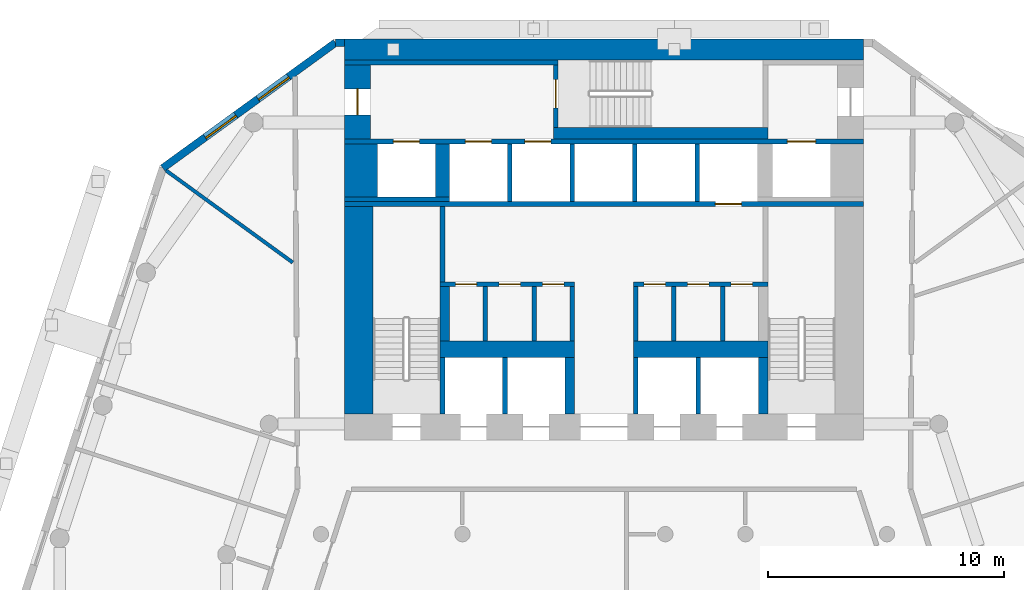
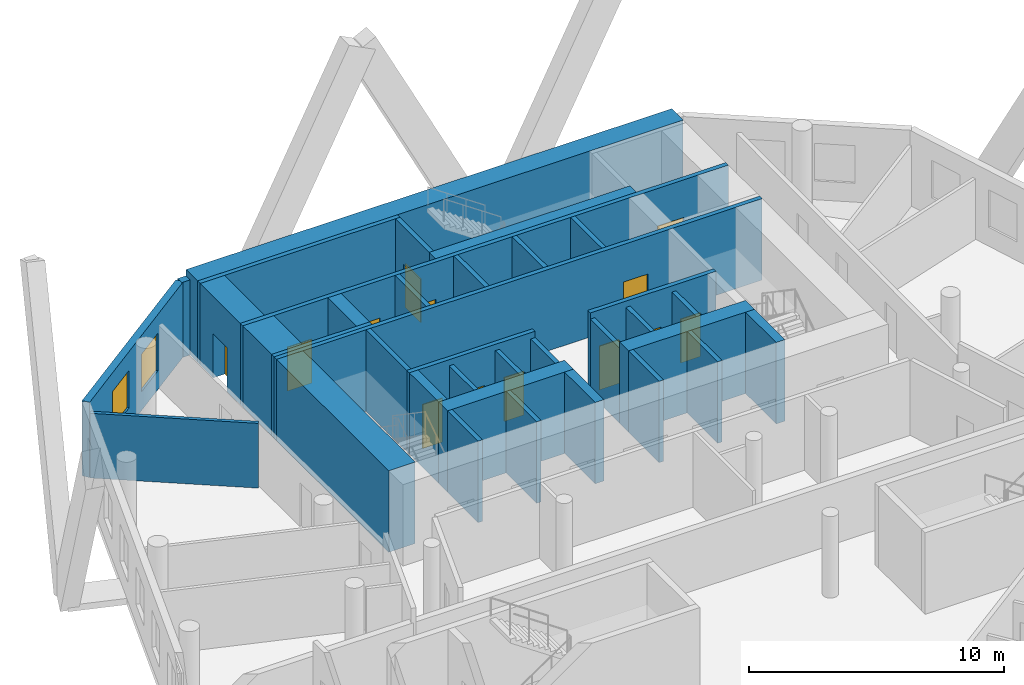
# One storey, part 6 of 10: 36 walls, 13 doors, 2 windows, 15 openings.
"""IFC4 building model written with IfcOpenShell, lengths in metres."""

from ifc_helpers import new_model, si_unit, direction, frame, frame_2d, origin, place, context, subcontext, project, spatial, rectangle, extrude, material, layer, layer_set, type_object, element, fill, save


model = new_model("IFC4")

# Units and contexts
model_context = context("Model", 3, precision=1e-05, world=origin(), true_north=direction((0.0, 1.0)))
body_context = subcontext(model_context, "Body", "Model", "MODEL_VIEW")
ifc_project = project(units=[si_unit("LENGTHUNIT", "METRE"), si_unit("AREAUNIT", "SQUARE_METRE"), si_unit("VOLUMEUNIT", "CUBIC_METRE"), si_unit("PLANEANGLEUNIT", "RADIAN"), si_unit("MASSUNIT", "GRAM", prefix="KILO")], contexts=[model_context])

# Site, building, storey
site_placement = place(None, origin())
site = spatial("IfcSite", under=ifc_project, at=site_placement, CompositionType="ELEMENT")
building_placement = place(site_placement, origin())
building = spatial("IfcBuilding", under=site, at=building_placement, Name="White Candle Pilgrim Tower", CompositionType="ELEMENT")
storey_placement = place(building_placement, frame((0.0, 0.0, 125.89990234375)))
storey = spatial("IfcBuildingStorey", under=building, at=storey_placement, Name="L28", CompositionType="ELEMENT", Elevation=125.89990234375)

# Wall, opening, door
ifc_material_1 = material(Name="Concrete C60/75", Category="concrete")
ifc_layer_1 = layer(ifc_material_1, 1.10009765625)
ifc_layer_set_1 = layer_set([ifc_layer_1], Name="Core wall 1100 mm Concrete C60/75")
wall_type_1 = type_object("IfcWallType", Name="Core wall 1100 mm Concrete C60/75", PredefinedType="SHEAR", material=ifc_layer_set_1)
wall_1_placement = place(storey_placement, frame((59.550048828125, 83.75, 0.0), z_axis=(0.0, 0.0, 1.0), x_axis=(0.0, 1.0, 0.0)))
wall_1 = element("IfcWall", 1, at=wall_1_placement, inside=storey, type_object=wall_type_1, Name="WL-L28-C46", PredefinedType="SHEAR", context=body_context, shape_type="SweptSolid", body=[
    extrude(rectangle(XDim=3.14990234375, YDim=1.10009765625, at=frame_2d((1.574951171875, 0.0))), origin(), (0.0, 0.0, 1.0), 3.900146484375),
])
opening_1_placement = place(wall_1_placement, frame((1.02490234375, 0.0, 0.0)))
opening_1 = element("IfcOpeningElement", 2, at=opening_1_placement, cuts=wall_1, Name="Opening T09-005", PredefinedType="OPENING", context=body_context, shape_type="SweptSolid", body=[
    extrude(rectangle(XDim=1.10009765625, YDim=2.10009765625, at=frame_2d((0.550048828125, 1.050048828125))), frame((0.0, 0.56005859375, 0.0), z_axis=(0.0, -1.0, 0.0), x_axis=(1.0, 0.0, 0.0)), (0.0, 0.0, 1.0), 1.1201171875),
])
ifc_material_2 = material(Name="Steel door leaf", Category="steel")
door_type_1 = type_object("IfcDoorType", Name="Fire door 1100 x 2100 EI 60", OperationType="NOTDEFINED", PredefinedType="DOOR", material=ifc_material_2)
door_1_placement = place(opening_1_placement, origin())
door_1 = element("IfcDoor", 3, at=door_1_placement, inside=storey, type_object=door_type_1, Name="Door T09-005", OperationType="SINGLE_SWING_LEFT", OverallHeight=2.10009765625, OverallWidth=1.10009765625, PredefinedType="DOOR", context=body_context, shape_type="SweptSolid", body=[
    extrude(rectangle(XDim=1.10009765625, YDim=2.10009765625, at=frame_2d((0.550048828125, 1.050048828125))), frame((0.0, 0.02490234375, 0.0), z_axis=(0.0, -1.0, 0.0), x_axis=(1.0, 0.0, 0.0)), (0.0, 0.0, 1.0), 0.050048828125),
])
fill(opening_1, door_1)

# Walls
ifc_layer_2 = layer(ifc_material_1, 1.39990234375)
ifc_layer_set_2 = layer_set([ifc_layer_2], Name="Core wall 1400 mm Concrete C60/75")
wall_type_2 = type_object("IfcWallType", Name="Core wall 1400 mm Concrete C60/75", PredefinedType="SHEAR", material=ifc_layer_set_2)
wall_2_placement = place(storey_placement, frame((59.699951171875, 81.300048828125, 0.0), z_axis=(0.0, 0.0, 1.0), x_axis=(0.0, 1.0, 0.0)))
element("IfcWall", 4, at=wall_2_placement, inside=storey, type_object=wall_type_2, Name="WL-L28-C41", PredefinedType="SHEAR", context=body_context, shape_type="SweptSolid", body=[
    extrude(rectangle(XDim=2.25, YDim=1.39990234375, at=frame_2d((1.125, 0.0))), origin(), (0.0, 0.0, 1.0), 3.900146484375),
])
ifc_layer_3 = layer(ifc_material_1, 0.199951171875)
ifc_layer_set_3 = layer_set([ifc_layer_3], Name="Core wall 200 mm Concrete C60/75")
wall_type_3 = type_object("IfcWallType", Name="Core wall 200 mm Concrete C60/75", PredefinedType="SHEAR", material=ifc_layer_set_3)
wall_3_placement = place(storey_placement, frame((59.0, 81.199951171875, 0.0), z_axis=(0.0, 0.0, 1.0), x_axis=(1.0, 0.0, 0.0)))
element("IfcWall", 5, at=wall_3_placement, inside=storey, type_object=wall_type_3, Name="WL-L28-C35", PredefinedType="SHEAR", context=body_context, shape_type="SweptSolid", body=[
    extrude(rectangle(XDim=4.449951171875, YDim=0.199951171875, at=frame_2d((2.22509765625, 0.0))), origin(), (0.0, 0.0, 1.0), 3.900146484375),
])

# Wall, openings, doors
wall_4_placement = place(storey_placement, frame((59.0, 83.64990234375, 0.0), z_axis=(0.0, 0.0, 1.0), x_axis=(1.0, 0.0, 0.0)))
wall_4 = element("IfcWall", 6, at=wall_4_placement, inside=storey, type_object=wall_type_3, Name="WL-L28-C45", PredefinedType="SHEAR", context=body_context, shape_type="SweptSolid", body=[
    extrude(rectangle(XDim=22.0, YDim=0.199951171875, at=frame_2d((11.0, 0.0))), origin(), (0.0, 0.0, 1.0), 3.900146484375),
])
opening_2_placement = place(wall_4_placement, frame((5.125, 0.0, 0.0)))
opening_2 = element("IfcOpeningElement", 7, at=opening_2_placement, cuts=wall_4, Name="Opening T09-011", PredefinedType="OPENING", context=body_context, shape_type="SweptSolid", body=[
    extrude(rectangle(XDim=1.10009765625, YDim=2.10009765625, at=frame_2d((0.550048828125, 1.050048828125))), frame((0.0, 0.10986328125, 0.0), z_axis=(0.0, -1.0, 0.0), x_axis=(1.0, 0.0, 0.0)), (0.0, 0.0, 1.0), 0.219970703125),
])
opening_3_placement = place(wall_4_placement, frame((7.64990234375, 0.0, 0.0)))
opening_3 = element("IfcOpeningElement", 8, at=opening_3_placement, cuts=wall_4, Name="Opening T09-012", PredefinedType="OPENING", context=body_context, shape_type="SweptSolid", body=[
    extrude(rectangle(XDim=1.10009765625, YDim=2.10009765625, at=frame_2d((0.550048828125, 1.050048828125))), frame((0.0, 0.10986328125, 0.0), z_axis=(0.0, -1.0, 0.0), x_axis=(1.0, 0.0, 0.0)), (0.0, 0.0, 1.0), 0.219970703125),
])
opening_4_placement = place(wall_4_placement, frame((18.77490234375, 0.0, 0.0)))
opening_4 = element("IfcOpeningElement", 9, at=opening_4_placement, cuts=wall_4, Name="Opening T09-018", PredefinedType="OPENING", context=body_context, shape_type="SweptSolid", body=[
    extrude(rectangle(XDim=1.199951171875, YDim=2.10009765625, at=frame_2d((0.60009765625, 1.050048828125))), frame((0.0, 0.10986328125, 0.0), z_axis=(0.0, -1.0, 0.0), x_axis=(1.0, 0.0, 0.0)), (0.0, 0.0, 1.0), 0.219970703125),
])
opening_5_placement = place(wall_4_placement, frame((2.074951171875, 0.0, 0.0)))
opening_5 = element("IfcOpeningElement", 10, at=opening_5_placement, cuts=wall_4, Name="Opening T09-019", PredefinedType="OPENING", context=body_context, shape_type="SweptSolid", body=[
    extrude(rectangle(XDim=1.10009765625, YDim=2.10009765625, at=frame_2d((0.550048828125, 1.050048828125))), frame((0.0, 0.10986328125, 0.0), z_axis=(0.0, -1.0, 0.0), x_axis=(1.0, 0.0, 0.0)), (0.0, 0.0, 1.0), 0.219970703125),
])
ifc_material_3 = material(Name="Stainless steel", Category="steel")
door_type_2 = type_object("IfcDoorType", Name="Lift landing door 1100 x 2100 EI 60", OperationType="DOUBLE_DOOR_SLIDING", PredefinedType="DOOR", material=ifc_material_3)
door_2_placement = place(opening_2_placement, origin())
door_2 = element("IfcDoor", 11, at=door_2_placement, inside=storey, type_object=door_type_2, Name="Door T09-011", OperationType="DOUBLE_DOOR_SLIDING", OverallHeight=2.10009765625, OverallWidth=1.10009765625, PredefinedType="DOOR", context=body_context, shape_type="SweptSolid", body=[
    extrude(rectangle(XDim=1.10009765625, YDim=2.10009765625, at=frame_2d((0.550048828125, 1.050048828125))), frame((0.0, 0.02490234375, 0.0), z_axis=(0.0, -1.0, 0.0), x_axis=(1.0, 0.0, 0.0)), (0.0, 0.0, 1.0), 0.050048828125),
])
fill(opening_2, door_2)
door_3_placement = place(opening_3_placement, origin())
door_3 = element("IfcDoor", 12, at=door_3_placement, inside=storey, type_object=door_type_2, Name="Door T09-012", OperationType="DOUBLE_DOOR_SLIDING", OverallHeight=2.10009765625, OverallWidth=1.10009765625, PredefinedType="DOOR", context=body_context, shape_type="SweptSolid", body=[
    extrude(rectangle(XDim=1.10009765625, YDim=2.10009765625, at=frame_2d((0.550048828125, 1.050048828125))), frame((0.0, 0.02490234375, 0.0), z_axis=(0.0, -1.0, 0.0), x_axis=(1.0, 0.0, 0.0)), (0.0, 0.0, 1.0), 0.050048828125),
])
fill(opening_3, door_3)
door_4_placement = place(opening_5_placement, origin())
door_4 = element("IfcDoor", 13, at=door_4_placement, inside=storey, type_object=door_type_2, Name="Door T09-019", OperationType="DOUBLE_DOOR_SLIDING", OverallHeight=2.10009765625, OverallWidth=1.10009765625, PredefinedType="DOOR", context=body_context, shape_type="SweptSolid", body=[
    extrude(rectangle(XDim=1.10009765625, YDim=2.10009765625, at=frame_2d((0.550048828125, 1.050048828125))), frame((0.0, 0.02490234375, 0.0), z_axis=(0.0, -1.0, 0.0), x_axis=(1.0, 0.0, 0.0)), (0.0, 0.0, 1.0), 0.050048828125),
])
fill(opening_5, door_4)
door_type_3 = type_object("IfcDoorType", Name="Lift landing door 1200 x 2100 E 60", OperationType="DOUBLE_DOOR_SLIDING", PredefinedType="DOOR", material=ifc_material_3)
door_5_placement = place(opening_4_placement, origin())
door_5 = element("IfcDoor", 14, at=door_5_placement, inside=storey, type_object=door_type_3, Name="Door T09-018", OperationType="DOUBLE_DOOR_SLIDING", OverallHeight=2.10009765625, OverallWidth=1.199951171875, PredefinedType="DOOR", context=body_context, shape_type="SweptSolid", body=[
    extrude(rectangle(XDim=1.199951171875, YDim=2.10009765625, at=frame_2d((0.60009765625, 1.050048828125))), frame((0.0, 0.02490234375, 0.0), z_axis=(0.0, -1.0, 0.0), x_axis=(1.0, 0.0, 0.0)), (0.0, 0.0, 1.0), 0.050048828125),
])
fill(opening_4, door_5)

# Wall
ifc_material_4 = material(Name="Precast concrete C40/50", Category="concrete")
ifc_layer_4 = layer(ifc_material_4, 0.320068359375)
ifc_layer_set_4 = layer_set([ifc_layer_4], Name="Facade wall EW1 precast concrete C40/50 pier wall with timber-lined reveals")
wall_type_4 = type_object("IfcWallType", Name="Facade wall EW1 precast concrete C40/50 pier wall with timber-lined reveals", PredefinedType="SOLIDWALL", material=ifc_layer_set_4)
wall_5_placement = place(storey_placement, frame((59.0, 87.840087890625, 0.0), z_axis=(0.0, 0.0, 1.0), x_axis=(-1.0, 0.0, 0.0)))
element("IfcWall", 15, at=wall_5_placement, inside=storey, type_object=wall_type_4, Name="Facade wall L28 N", PredefinedType="SOLIDWALL", context=body_context, shape_type="SweptSolid", body=[
    extrude(rectangle(XDim=0.385009765625, YDim=0.320068359375, at=frame_2d((0.1923828125, 0.0))), origin(), (0.0, 0.0, 1.0), 3.60009765625),
])

# Wall, openings, windows
wall_6_placement = place(storey_placement, frame((58.614990234375, 87.840087890625, 0.0), z_axis=(0.0, 0.0, 1.0), x_axis=(-0.809020636, -0.587780239993, 0.0)))
wall_6 = element("IfcWall", 16, at=wall_6_placement, inside=storey, type_object=wall_type_4, Name="Facade wall L28 NW chamfer", PredefinedType="SOLIDWALL", context=body_context, shape_type="SweptSolid", body=[
    extrude(rectangle(XDim=9.0498046875, YDim=0.320068359375, at=frame_2d((4.52490234375, 0.0))), origin(), (0.0, 0.0, 1.0), 3.60009765625),
])
opening_6_placement = place(wall_6_placement, frame((2.459228515625, 0.0, 0.89990234375)))
opening_6 = element("IfcOpeningElement", 17, at=opening_6_placement, cuts=wall_6, Name="Opening W2", PredefinedType="OPENING", context=body_context, shape_type="SweptSolid", body=[
    extrude(rectangle(XDim=1.60009765625, YDim=1.800048828125, at=frame_2d((0.800048828125, 0.89990234375))), frame((0.0, 0.169921875, 0.0), z_axis=(0.0, -1.0, 0.0), x_axis=(1.0, 0.0, 0.0)), (0.0, 0.0, 1.0), 0.340087890625),
])
opening_7_placement = place(wall_6_placement, frame((5.224853515625, 0.0, 0.89990234375)))
opening_7 = element("IfcOpeningElement", 18, at=opening_7_placement, cuts=wall_6, Name="Opening W2", PredefinedType="OPENING", context=body_context, shape_type="SweptSolid", body=[
    extrude(rectangle(XDim=1.60009765625, YDim=1.800048828125, at=frame_2d((0.800048828125, 0.89990234375))), frame((0.0, 0.169921875, 0.0), z_axis=(0.0, -1.0, 0.0), x_axis=(1.0, 0.0, 0.0)), (0.0, 0.0, 1.0), 0.340087890625),
])
ifc_material_5 = material(Name="Timber frame with triple glazing", Category="wood")
window_type = type_object("IfcWindowType", Name="Window W2 1600x1800 timber frame triple glazing", PartitioningType="SINGLE_PANEL", PredefinedType="WINDOW", material=ifc_material_5)
window_1_placement = place(opening_6_placement, origin())
window_1 = element("IfcWindow", 19, at=window_1_placement, inside=storey, type_object=window_type, Name="Window W2 L28 NW chamfer 1", OverallHeight=1.800048828125, OverallWidth=1.60009765625, PartitioningType="SINGLE_PANEL", PredefinedType="WINDOW", context=body_context, shape_type="SweptSolid", body=[
    extrude(rectangle(XDim=1.60009765625, YDim=1.800048828125, at=frame_2d((0.800048828125, 0.89990234375))), frame((0.0, 0.070068359375, 0.0), z_axis=(0.0, -1.0, 0.0), x_axis=(1.0, 0.0, 0.0)), (0.0, 0.0, 1.0), 0.06005859375),
])
fill(opening_6, window_1)
window_2_placement = place(opening_7_placement, origin())
window_2 = element("IfcWindow", 20, at=window_2_placement, inside=storey, type_object=window_type, Name="Window W2 L28 NW chamfer 2", OverallHeight=1.800048828125, OverallWidth=1.60009765625, PartitioningType="SINGLE_PANEL", PredefinedType="WINDOW", context=body_context, shape_type="SweptSolid", body=[
    extrude(rectangle(XDim=1.60009765625, YDim=1.800048828125, at=frame_2d((0.800048828125, 0.89990234375))), frame((0.0, 0.070068359375, 0.0), z_axis=(0.0, -1.0, 0.0), x_axis=(1.0, 0.0, 0.0)), (0.0, 0.0, 1.0), 0.06005859375),
])
fill(opening_7, window_2)

# Walls
ifc_material_6 = material(Name="Gypsum board on steel studs", Category="steel")
ifc_layer_5 = layer(ifc_material_6, 0.199951171875)
ifc_layer_set_5 = layer_set([ifc_layer_5], Name="Lobby wall 200 mm EI 60")
wall_type_5 = type_object("IfcWallType", Name="Lobby wall 200 mm EI 60", PredefinedType="PARTITIONING", material=ifc_layer_set_5)
for number, where, z_axis, x_axis, name in (
    (21, (64.9599609375, 75.199951171875, 0.0), (0.0, 0.0, 1.0), (0.0, 1.0, 0.0), "WL-L28-C23"),
    (22, (67.0400390625, 75.199951171875, 0.0), (0.0, 0.0, 1.0), (0.0, 1.0, 0.0), "WL-L28-C24"),
    (23, (68.64990234375, 75.199951171875, 0.0), (0.0, 0.0, 1.0), (0.0, 1.0, 0.0), "WL-L28-C25"),
    (24, (71.35009765625, 75.199951171875, 0.0), (0.0, 0.0, 1.0), (0.0, 1.0, 0.0), "WL-L28-C26"),
    (25, (72.9599609375, 75.199951171875, 0.0), (0.0, 0.0, 1.0), (0.0, 1.0, 0.0), "WL-L28-C27"),
    (26, (75.0400390625, 75.199951171875, 0.0), (0.0, 0.0, 1.0), (0.0, 1.0, 0.0), "WL-L28-C28"),
):
    element("IfcWall", number, at=place(storey_placement, frame(where, z_axis=z_axis, x_axis=x_axis)), inside=storey, type_object=wall_type_5, Name=name, PredefinedType="PARTITIONING", context=body_context, shape_type="SweptSolid", body=[
        extrude(rectangle(XDim=2.300048828125, YDim=0.199951171875, at=frame_2d((1.14990234375, 0.0))), origin(), (0.0, 0.0, 1.0), 3.60009765625),
    ])
ifc_layer_6 = layer(ifc_material_6, 0.14990234375)
ifc_layer_set_6 = layer_set([ifc_layer_6], Name="Partition 150 mm EI 60")
wall_type_6 = type_object("IfcWallType", Name="Partition 150 mm EI 60", PredefinedType="PARTITIONING", material=ifc_layer_set_6)
wall_7_placement = place(storey_placement, frame((51.4296875, 82.421875, 0.0), z_axis=(0.0, 0.0, 1.0), x_axis=(0.809017368716, -0.587784737056, 0.0)))
element("IfcWall", 27, at=wall_7_placement, inside=storey, type_object=wall_type_6, Name="WL-L28-P016", PredefinedType="PARTITIONING", context=body_context, shape_type="SweptSolid", body=[
    extrude(rectangle(XDim=6.64111328125, YDim=0.14990234375, at=frame_2d((3.320556640625, 0.0))), origin(), (0.0, 0.0, 1.0), 3.10009765625),
])
ifc_layer_7 = layer(ifc_material_1, 0.199951171875)
ifc_layer_set_7 = layer_set([ifc_layer_7], Name="Shaft wall 200 mm Concrete C60/75")
wall_type_7 = type_object("IfcWallType", Name="Shaft wall 200 mm Concrete C60/75", PredefinedType="SHEAR", material=ifc_layer_set_7)
for number, where, z_axis, x_axis, name in (
    (28, (65.800048828125, 72.10009765625, 0.0), (0.0, 0.0, 1.0), (0.0, 1.0, 0.0), "WL-L28-C14"),
    (29, (71.35009765625, 72.10009765625, 0.0), (0.0, 0.0, 1.0), (0.0, 1.0, 0.0), "WL-L28-C16"),
    (30, (74.0, 72.10009765625, 0.0), (0.0, 0.0, 1.0), (0.0, 1.0, 0.0), "WL-L28-C17"),
):
    element("IfcWall", number, at=place(storey_placement, frame(where, z_axis=z_axis, x_axis=x_axis)), inside=storey, type_object=wall_type_7, Name=name, PredefinedType="SHEAR", context=body_context, shape_type="SweptSolid", body=[
        extrude(rectangle(XDim=2.39990234375, YDim=0.199951171875, at=frame_2d((1.199951171875, 0.0))), origin(), (0.0, 0.0, 1.0), 3.900146484375),
    ])
for number, where, z_axis, x_axis, name in (
    (31, (66.0, 81.10009765625, 0.0), (0.0, 0.0, 1.0), (0.0, 1.0, 0.0), "WL-L28-C36"),
    (32, (68.64990234375, 81.10009765625, 0.0), (0.0, 0.0, 1.0), (0.0, 1.0, 0.0), "WL-L28-C37"),
    (33, (71.300048828125, 81.10009765625, 0.0), (0.0, 0.0, 1.0), (0.0, 1.0, 0.0), "WL-L28-C38"),
    (34, (73.949951171875, 81.10009765625, 0.0), (0.0, 0.0, 1.0), (0.0, 1.0, 0.0), "WL-L28-C39"),
):
    element("IfcWall", number, at=place(storey_placement, frame(where, z_axis=z_axis, x_axis=x_axis)), inside=storey, type_object=wall_type_7, Name=name, PredefinedType="SHEAR", context=body_context, shape_type="SweptSolid", body=[
        extrude(rectangle(XDim=2.449951171875, YDim=0.199951171875, at=frame_2d((1.22509765625, 0.0))), origin(), (0.0, 0.0, 1.0), 3.900146484375),
    ])
ifc_layer_8 = layer(ifc_material_1, 0.39990234375)
ifc_layer_set_8 = layer_set([ifc_layer_8], Name="Shaft wall 400 mm Concrete C60/75")
wall_type_8 = type_object("IfcWallType", Name="Shaft wall 400 mm Concrete C60/75", PredefinedType="SHEAR", material=ifc_layer_set_8)
wall_8_placement = place(storey_placement, frame((68.550048828125, 72.10009765625, 0.0), z_axis=(0.0, 0.0, 1.0), x_axis=(0.0, 1.0, 0.0)))
element("IfcWall", 35, at=wall_8_placement, inside=storey, type_object=wall_type_8, Name="WL-L28-C15", PredefinedType="SHEAR", context=body_context, shape_type="SweptSolid", body=[
    extrude(rectangle(XDim=2.39990234375, YDim=0.39990234375, at=frame_2d((1.199951171875, 0.0))), origin(), (0.0, 0.0, 1.0), 3.900146484375),
])
ifc_layer_9 = layer(ifc_material_1, 0.60009765625)
ifc_layer_set_9 = layer_set([ifc_layer_9], Name="Shaft wall 600 mm Concrete C60/75")
wall_type_9 = type_object("IfcWallType", Name="Shaft wall 600 mm Concrete C60/75", PredefinedType="SHEAR", material=ifc_layer_set_9)
wall_9_placement = place(storey_placement, frame((63.14990234375, 81.300048828125, 0.0), z_axis=(0.0, 0.0, 1.0), x_axis=(0.0, 1.0, 0.0)))
element("IfcWall", 36, at=wall_9_placement, inside=storey, type_object=wall_type_9, Name="WL-L28-C42", PredefinedType="SHEAR", context=body_context, shape_type="SweptSolid", body=[
    extrude(rectangle(XDim=2.25, YDim=0.60009765625, at=frame_2d((1.125, 0.0))), origin(), (0.0, 0.0, 1.0), 3.900146484375),
])
ifc_layer_10 = layer(ifc_material_1, 1.199951171875)
ifc_layer_set_10 = layer_set([ifc_layer_10], Name="Stair shaft wall 1200 mm Concrete C60/75")
wall_type_10 = type_object("IfcWallType", Name="Stair shaft wall 1200 mm Concrete C60/75", PredefinedType="SHEAR", material=ifc_layer_set_10)
wall_10_placement = place(storey_placement, frame((59.60009765625, 72.10009765625, 0.0), z_axis=(0.0, 0.0, 1.0), x_axis=(0.0, 1.0, 0.0)))
element("IfcWall", 37, at=wall_10_placement, inside=storey, type_object=wall_type_10, Name="WL-L28-C12", PredefinedType="SHEAR", context=body_context, shape_type="SweptSolid", body=[
    extrude(rectangle(XDim=8.7998046875, YDim=1.199951171875, at=frame_2d((4.39990234375, 0.0))), origin(), (0.0, 0.0, 1.0), 3.900146484375),
])
ifc_layer_11 = layer(ifc_material_1, 0.199951171875)
ifc_layer_set_11 = layer_set([ifc_layer_11], Name="Stair shaft wall 200 mm Concrete C60/75")
wall_type_11 = type_object("IfcWallType", Name="Stair shaft wall 200 mm Concrete C60/75", PredefinedType="SHEAR", material=ifc_layer_set_11)
wall_11_placement = place(storey_placement, frame((63.14990234375, 72.10009765625, 0.0), z_axis=(0.0, 0.0, 1.0), x_axis=(0.0, 1.0, 0.0)))
element("IfcWall", 38, at=wall_11_placement, inside=storey, type_object=wall_type_11, Name="WL-L28-C13", PredefinedType="SHEAR", context=body_context, shape_type="SweptSolid", body=[
    extrude(rectangle(XDim=2.39990234375, YDim=0.199951171875, at=frame_2d((1.199951171875, 0.0))), origin(), (0.0, 0.0, 1.0), 3.900146484375),
])

# Wall, openings, doors
wall_12_placement = place(storey_placement, frame((63.050048828125, 77.60009765625, 0.0), z_axis=(0.0, 0.0, 1.0), x_axis=(1.0, 0.0, 0.0)))
wall_12 = element("IfcWall", 39, at=wall_12_placement, inside=storey, type_object=wall_type_11, Name="WL-L28-C30", PredefinedType="SHEAR", context=body_context, shape_type="SweptSolid", body=[
    extrude(rectangle(XDim=5.699951171875, YDim=0.199951171875, at=frame_2d((2.85009765625, 0.0))), origin(), (0.0, 0.0, 1.0), 3.900146484375),
])
opening_8_placement = place(wall_12_placement, frame((0.655029296875, 0.0, 0.0)))
opening_8 = element("IfcOpeningElement", 40, at=opening_8_placement, cuts=wall_12, Name="Opening T09-020", PredefinedType="OPENING", context=body_context, shape_type="SweptSolid", body=[
    extrude(rectangle(XDim=0.89990234375, YDim=2.10009765625, at=frame_2d((0.449951171875, 1.050048828125))), frame((0.0, 0.10986328125, 0.0), z_axis=(0.0, -1.0, 0.0), x_axis=(1.0, 0.0, 0.0)), (0.0, 0.0, 1.0), 0.219970703125),
])
opening_9_placement = place(wall_12_placement, frame((2.5, 0.0, 0.0)))
opening_9 = element("IfcOpeningElement", 41, at=opening_9_placement, cuts=wall_12, Name="Opening T09-021", PredefinedType="OPENING", context=body_context, shape_type="SweptSolid", body=[
    extrude(rectangle(XDim=0.89990234375, YDim=2.10009765625, at=frame_2d((0.449951171875, 1.050048828125))), frame((0.0, 0.10986328125, 0.0), z_axis=(0.0, -1.0, 0.0), x_axis=(1.0, 0.0, 0.0)), (0.0, 0.0, 1.0), 0.219970703125),
])
opening_10_placement = place(wall_12_placement, frame((4.344970703125, 0.0, 0.0)))
opening_10 = element("IfcOpeningElement", 42, at=opening_10_placement, cuts=wall_12, Name="Opening T09-022", PredefinedType="OPENING", context=body_context, shape_type="SweptSolid", body=[
    extrude(rectangle(XDim=0.89990234375, YDim=2.10009765625, at=frame_2d((0.449951171875, 1.050048828125))), frame((0.0, 0.10986328125, 0.0), z_axis=(0.0, -1.0, 0.0), x_axis=(1.0, 0.0, 0.0)), (0.0, 0.0, 1.0), 0.219970703125),
])
door_type_4 = type_object("IfcDoorType", Name="Fire door 900 x 2100 EI 30", OperationType="NOTDEFINED", PredefinedType="DOOR", material=ifc_material_2)
door_6_placement = place(opening_8_placement, origin())
door_6 = element("IfcDoor", 43, at=door_6_placement, inside=storey, type_object=door_type_4, Name="Door T09-020", OperationType="SINGLE_SWING_RIGHT", OverallHeight=2.10009765625, OverallWidth=0.89990234375, PredefinedType="DOOR", context=body_context, shape_type="SweptSolid", body=[
    extrude(rectangle(XDim=0.89990234375, YDim=2.10009765625, at=frame_2d((0.449951171875, 1.050048828125))), frame((0.0, 0.02490234375, 0.0), z_axis=(0.0, -1.0, 0.0), x_axis=(1.0, 0.0, 0.0)), (0.0, 0.0, 1.0), 0.050048828125),
])
fill(opening_8, door_6)
door_7_placement = place(opening_9_placement, origin())
door_7 = element("IfcDoor", 44, at=door_7_placement, inside=storey, type_object=door_type_4, Name="Door T09-021", OperationType="SINGLE_SWING_LEFT", OverallHeight=2.10009765625, OverallWidth=0.89990234375, PredefinedType="DOOR", context=body_context, shape_type="SweptSolid", body=[
    extrude(rectangle(XDim=0.89990234375, YDim=2.10009765625, at=frame_2d((0.449951171875, 1.050048828125))), frame((0.0, 0.02490234375, 0.0), z_axis=(0.0, -1.0, 0.0), x_axis=(1.0, 0.0, 0.0)), (0.0, 0.0, 1.0), 0.050048828125),
])
fill(opening_9, door_7)
door_8_placement = place(opening_10_placement, origin())
door_8 = element("IfcDoor", 45, at=door_8_placement, inside=storey, type_object=door_type_4, Name="Door T09-022", OperationType="SINGLE_SWING_RIGHT", OverallHeight=2.10009765625, OverallWidth=0.89990234375, PredefinedType="DOOR", context=body_context, shape_type="SweptSolid", body=[
    extrude(rectangle(XDim=0.89990234375, YDim=2.10009765625, at=frame_2d((0.449951171875, 1.050048828125))), frame((0.0, 0.02490234375, 0.0), z_axis=(0.0, -1.0, 0.0), x_axis=(1.0, 0.0, 0.0)), (0.0, 0.0, 1.0), 0.050048828125),
])
fill(opening_10, door_8)

wall_13_placement = place(storey_placement, frame((71.25, 77.60009765625, 0.0), z_axis=(0.0, 0.0, 1.0), x_axis=(1.0, 0.0, 0.0)))
wall_13 = element("IfcWall", 46, at=wall_13_placement, inside=storey, type_object=wall_type_11, Name="WL-L28-C31", PredefinedType="SHEAR", context=body_context, shape_type="SweptSolid", body=[
    extrude(rectangle(XDim=5.699951171875, YDim=0.199951171875, at=frame_2d((2.85009765625, 0.0))), origin(), (0.0, 0.0, 1.0), 3.900146484375),
])
opening_11_placement = place(wall_13_placement, frame((0.455078125, 0.0, 0.0)))
opening_11 = element("IfcOpeningElement", 47, at=opening_11_placement, cuts=wall_13, Name="Opening T09-023", PredefinedType="OPENING", context=body_context, shape_type="SweptSolid", body=[
    extrude(rectangle(XDim=0.89990234375, YDim=2.10009765625, at=frame_2d((0.449951171875, 1.050048828125))), frame((0.0, 0.10986328125, 0.0), z_axis=(0.0, -1.0, 0.0), x_axis=(1.0, 0.0, 0.0)), (0.0, 0.0, 1.0), 0.219970703125),
])
opening_12_placement = place(wall_13_placement, frame((2.300048828125, 0.0, 0.0)))
opening_12 = element("IfcOpeningElement", 48, at=opening_12_placement, cuts=wall_13, Name="Opening T09-024", PredefinedType="OPENING", context=body_context, shape_type="SweptSolid", body=[
    extrude(rectangle(XDim=0.89990234375, YDim=2.10009765625, at=frame_2d((0.449951171875, 1.050048828125))), frame((0.0, 0.10986328125, 0.0), z_axis=(0.0, -1.0, 0.0), x_axis=(1.0, 0.0, 0.0)), (0.0, 0.0, 1.0), 0.219970703125),
])
opening_13_placement = place(wall_13_placement, frame((4.14501953125, 0.0, 0.0)))
opening_13 = element("IfcOpeningElement", 49, at=opening_13_placement, cuts=wall_13, Name="Opening T09-025", PredefinedType="OPENING", context=body_context, shape_type="SweptSolid", body=[
    extrude(rectangle(XDim=0.89990234375, YDim=2.10009765625, at=frame_2d((0.449951171875, 1.050048828125))), frame((0.0, 0.10986328125, 0.0), z_axis=(0.0, -1.0, 0.0), x_axis=(1.0, 0.0, 0.0)), (0.0, 0.0, 1.0), 0.219970703125),
])
door_9_placement = place(opening_11_placement, origin())
door_9 = element("IfcDoor", 50, at=door_9_placement, inside=storey, type_object=door_type_4, Name="Door T09-023", OperationType="SINGLE_SWING_LEFT", OverallHeight=2.10009765625, OverallWidth=0.89990234375, PredefinedType="DOOR", context=body_context, shape_type="SweptSolid", body=[
    extrude(rectangle(XDim=0.89990234375, YDim=2.10009765625, at=frame_2d((0.449951171875, 1.050048828125))), frame((0.0, 0.02490234375, 0.0), z_axis=(0.0, -1.0, 0.0), x_axis=(1.0, 0.0, 0.0)), (0.0, 0.0, 1.0), 0.050048828125),
])
fill(opening_11, door_9)
door_10_placement = place(opening_12_placement, origin())
door_10 = element("IfcDoor", 51, at=door_10_placement, inside=storey, type_object=door_type_4, Name="Door T09-024", OperationType="SINGLE_SWING_RIGHT", OverallHeight=2.10009765625, OverallWidth=0.89990234375, PredefinedType="DOOR", context=body_context, shape_type="SweptSolid", body=[
    extrude(rectangle(XDim=0.89990234375, YDim=2.10009765625, at=frame_2d((0.449951171875, 1.050048828125))), frame((0.0, 0.02490234375, 0.0), z_axis=(0.0, -1.0, 0.0), x_axis=(1.0, 0.0, 0.0)), (0.0, 0.0, 1.0), 0.050048828125),
])
fill(opening_12, door_10)
door_11_placement = place(opening_13_placement, origin())
door_11 = element("IfcDoor", 52, at=door_11_placement, inside=storey, type_object=door_type_4, Name="Door T09-025", OperationType="SINGLE_SWING_LEFT", OverallHeight=2.10009765625, OverallWidth=0.89990234375, PredefinedType="DOOR", context=body_context, shape_type="SweptSolid", body=[
    extrude(rectangle(XDim=0.89990234375, YDim=2.10009765625, at=frame_2d((0.449951171875, 1.050048828125))), frame((0.0, 0.02490234375, 0.0), z_axis=(0.0, -1.0, 0.0), x_axis=(1.0, 0.0, 0.0)), (0.0, 0.0, 1.0), 0.050048828125),
])
fill(opening_13, door_11)

# Wall
wall_14_placement = place(storey_placement, frame((63.14990234375, 77.699951171875, 0.0), z_axis=(0.0, 0.0, 1.0), x_axis=(0.0, 1.0, 0.0)))
element("IfcWall", 53, at=wall_14_placement, inside=storey, type_object=wall_type_11, Name="WL-L28-C32", PredefinedType="SHEAR", context=body_context, shape_type="SweptSolid", body=[
    extrude(rectangle(XDim=3.199951171875, YDim=0.199951171875, at=frame_2d((1.60009765625, 0.0))), origin(), (0.0, 0.0, 1.0), 3.900146484375),
])

# Wall, opening, door
wall_15_placement = place(storey_placement, frame((59.0, 81.0, 0.0), z_axis=(0.0, 0.0, 1.0), x_axis=(1.0, 0.0, 0.0)))
wall_15 = element("IfcWall", 54, at=wall_15_placement, inside=storey, type_object=wall_type_11, Name="WL-L28-C34", PredefinedType="SHEAR", context=body_context, shape_type="SweptSolid", body=[
    extrude(rectangle(XDim=22.0, YDim=0.199951171875, at=frame_2d((11.0, 0.0))), origin(), (0.0, 0.0, 1.0), 3.900146484375),
])
opening_14_placement = place(wall_15_placement, frame((15.72509765625, 0.0, 0.0)))
opening_14 = element("IfcOpeningElement", 55, at=opening_14_placement, cuts=wall_15, Name="Opening T09-013", PredefinedType="OPENING", context=body_context, shape_type="SweptSolid", body=[
    extrude(rectangle(XDim=1.10009765625, YDim=2.10009765625, at=frame_2d((0.550048828125, 1.050048828125))), frame((0.0, 0.10986328125, 0.0), z_axis=(0.0, -1.0, 0.0), x_axis=(1.0, 0.0, 0.0)), (0.0, 0.0, 1.0), 0.219970703125),
])
door_type_5 = type_object("IfcDoorType", Name="Lift landing door 1100 x 2100 E 60", OperationType="DOUBLE_DOOR_SLIDING", PredefinedType="DOOR", material=ifc_material_3)
door_12_placement = place(opening_14_placement, origin())
door_12 = element("IfcDoor", 56, at=door_12_placement, inside=storey, type_object=door_type_5, Name="Door T09-013", OperationType="DOUBLE_DOOR_SLIDING", OverallHeight=2.10009765625, OverallWidth=1.10009765625, PredefinedType="DOOR", context=body_context, shape_type="SweptSolid", body=[
    extrude(rectangle(XDim=1.10009765625, YDim=2.10009765625, at=frame_2d((0.550048828125, 1.050048828125))), frame((0.0, 0.02490234375, 0.0), z_axis=(0.0, -1.0, 0.0), x_axis=(1.0, 0.0, 0.0)), (0.0, 0.0, 1.0), 0.050048828125),
])
fill(opening_14, door_12)

wall_16_placement = place(storey_placement, frame((67.949951171875, 84.25, 0.0), z_axis=(0.0, 0.0, 1.0), x_axis=(0.0, 1.0, 0.0)))
wall_16 = element("IfcWall", 57, at=wall_16_placement, inside=storey, type_object=wall_type_11, Name="WL-L28-C49", PredefinedType="SHEAR", context=body_context, shape_type="SweptSolid", body=[
    extrude(rectangle(XDim=2.64990234375, YDim=0.199951171875, at=frame_2d((1.324951171875, 0.0))), origin(), (0.0, 0.0, 1.0), 3.900146484375),
])
opening_15_placement = place(wall_16_placement, frame((0.824951171875, 0.0, 0.0)))
opening_15 = element("IfcOpeningElement", 58, at=opening_15_placement, cuts=wall_16, Name="Opening T09-003", PredefinedType="OPENING", context=body_context, shape_type="SweptSolid", body=[
    extrude(rectangle(XDim=1.199951171875, YDim=2.10009765625, at=frame_2d((0.60009765625, 1.050048828125))), frame((0.0, 0.10986328125, 0.0), z_axis=(0.0, -1.0, 0.0), x_axis=(1.0, 0.0, 0.0)), (0.0, 0.0, 1.0), 0.219970703125),
])
door_type_6 = type_object("IfcDoorType", Name="Fire door 1200 x 2100 EI 60", OperationType="NOTDEFINED", PredefinedType="DOOR", material=ifc_material_2)
door_13_placement = place(opening_15_placement, frame((1.199951171875, 0.0, 0.0), z_axis=(0.0, 0.0, 1.0), x_axis=(-1.0, 0.0, 0.0)))
door_13 = element("IfcDoor", 59, at=door_13_placement, inside=storey, type_object=door_type_6, Name="Door T09-003", OperationType="SINGLE_SWING_RIGHT", OverallHeight=2.10009765625, OverallWidth=1.199951171875, PredefinedType="DOOR", context=body_context, shape_type="SweptSolid", body=[
    extrude(rectangle(XDim=1.199951171875, YDim=2.10009765625, at=frame_2d((0.60009765625, 1.050048828125))), frame((0.0, 0.02490234375, 0.0), z_axis=(0.0, -1.0, 0.0), x_axis=(1.0, 0.0, 0.0)), (0.0, 0.0, 1.0), 0.050048828125),
])
fill(opening_15, door_13)

# Walls
wall_17_placement = place(storey_placement, frame((59.0, 87.0, 0.0), z_axis=(0.0, 0.0, 1.0), x_axis=(1.0, 0.0, 0.0)))
element("IfcWall", 60, at=wall_17_placement, inside=storey, type_object=wall_type_11, Name="WL-L28-C51", PredefinedType="SHEAR", context=body_context, shape_type="SweptSolid", body=[
    extrude(rectangle(XDim=9.050048828125, YDim=0.199951171875, at=frame_2d((4.52490234375, 0.0))), origin(), (0.0, 0.0, 1.0), 3.900146484375),
])
ifc_layer_12 = layer(ifc_material_1, 0.39990234375)
ifc_layer_set_12 = layer_set([ifc_layer_12], Name="Stair shaft wall 400 mm Concrete C60/75")
wall_type_12 = type_object("IfcWallType", Name="Stair shaft wall 400 mm Concrete C60/75", PredefinedType="SHEAR", material=ifc_layer_set_12)
wall_18_placement = place(storey_placement, frame((76.75, 72.10009765625, 0.0), z_axis=(0.0, 0.0, 1.0), x_axis=(0.0, 1.0, 0.0)))
element("IfcWall", 61, at=wall_18_placement, inside=storey, type_object=wall_type_12, Name="WL-L28-C18", PredefinedType="SHEAR", context=body_context, shape_type="SweptSolid", body=[
    extrude(rectangle(XDim=2.39990234375, YDim=0.39990234375, at=frame_2d((1.199951171875, 0.0))), origin(), (0.0, 0.0, 1.0), 3.900146484375),
])
wall_19_placement = place(storey_placement, frame((63.25, 75.199951171875, 0.0), z_axis=(0.0, 0.0, 1.0), x_axis=(0.0, 1.0, 0.0)))
element("IfcWall", 62, at=wall_19_placement, inside=storey, type_object=wall_type_12, Name="WL-L28-C22", PredefinedType="SHEAR", context=body_context, shape_type="SweptSolid", body=[
    extrude(rectangle(XDim=2.300048828125, YDim=0.39990234375, at=frame_2d((1.14990234375, 0.0))), origin(), (0.0, 0.0, 1.0), 3.900146484375),
])
ifc_layer_13 = layer(ifc_material_1, 0.5)
ifc_layer_set_13 = layer_set([ifc_layer_13], Name="Stair shaft wall 500 mm Concrete C60/75")
wall_type_13 = type_object("IfcWallType", Name="Stair shaft wall 500 mm Concrete C60/75", PredefinedType="SHEAR", material=ifc_layer_set_13)
wall_20_placement = place(storey_placement, frame((67.85009765625, 84.0, 0.0), z_axis=(0.0, 0.0, 1.0), x_axis=(1.0, 0.0, 0.0)))
element("IfcWall", 63, at=wall_20_placement, inside=storey, type_object=wall_type_13, Name="WL-L28-C47", PredefinedType="SHEAR", context=body_context, shape_type="SweptSolid", body=[
    extrude(rectangle(XDim=9.099853515625, YDim=0.5, at=frame_2d((4.5498046875, 0.0))), origin(), (0.0, 0.0, 1.0), 3.900146484375),
])
ifc_layer_14 = layer(ifc_material_1, 0.699951171875)
ifc_layer_set_14 = layer_set([ifc_layer_14], Name="Stair shaft wall 700 mm Concrete C60/75")
wall_type_14 = type_object("IfcWallType", Name="Stair shaft wall 700 mm Concrete C60/75", PredefinedType="SHEAR", material=ifc_layer_set_14)
for number, where, z_axis, x_axis, name in (
    (64, (63.050048828125, 74.85009765625, 0.0), (0.0, 0.0, 1.0), (1.0, 0.0, 0.0), "WL-L28-C20"),
    (65, (71.25, 74.85009765625, 0.0), (0.0, 0.0, 1.0), (1.0, 0.0, 0.0), "WL-L28-C21"),
):
    element("IfcWall", number, at=place(storey_placement, frame(where, z_axis=z_axis, x_axis=x_axis)), inside=storey, type_object=wall_type_14, Name=name, PredefinedType="SHEAR", context=body_context, shape_type="SweptSolid", body=[
        extrude(rectangle(XDim=5.699951171875, YDim=0.699951171875, at=frame_2d((2.85009765625, 0.0))), origin(), (0.0, 0.0, 1.0), 3.900146484375),
    ])
ifc_layer_15 = layer(ifc_material_1, 0.89990234375)
ifc_layer_set_15 = layer_set([ifc_layer_15], Name="Stair shaft wall 900 mm Concrete C60/75")
wall_type_15 = type_object("IfcWallType", Name="Stair shaft wall 900 mm Concrete C60/75", PredefinedType="SHEAR", material=ifc_layer_set_15)
wall_21_placement = place(storey_placement, frame((59.0, 87.550048828125, 0.0), z_axis=(0.0, 0.0, 1.0), x_axis=(1.0, 0.0, 0.0)))
element("IfcWall", 66, at=wall_21_placement, inside=storey, type_object=wall_type_15, Name="WL-L28-C53", PredefinedType="SHEAR", context=body_context, shape_type="SweptSolid", body=[
    extrude(rectangle(XDim=22.0, YDim=0.89990234375, at=frame_2d((11.0, 0.0))), origin(), (0.0, 0.0, 1.0), 3.900146484375),
])

save(model, "model.ifc")
